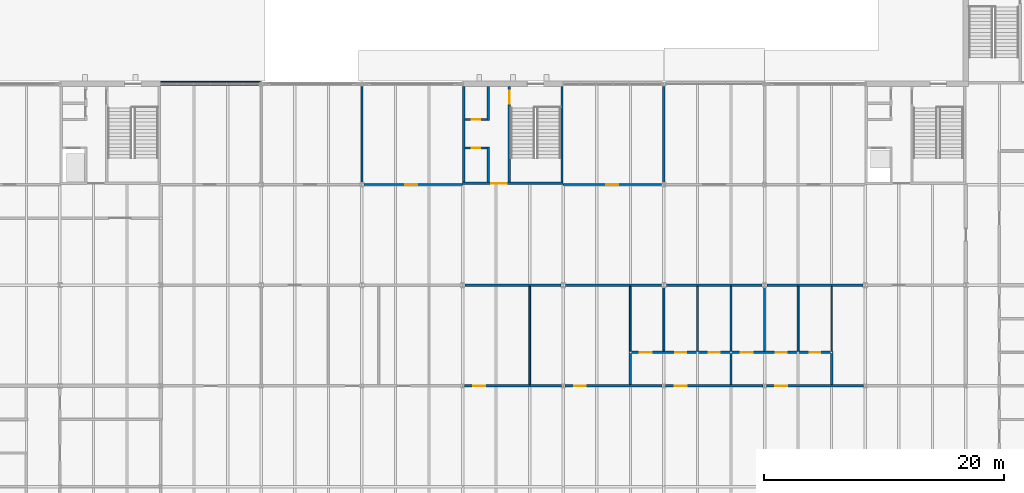
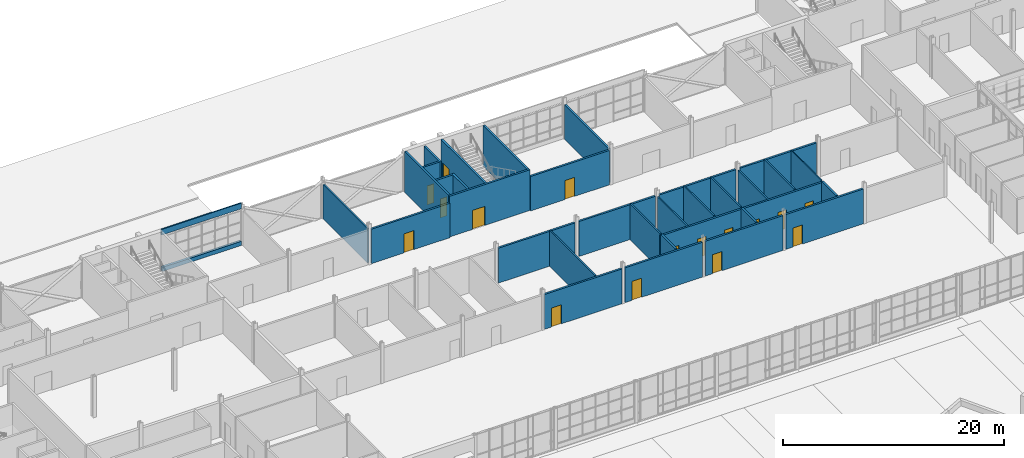
# One storey, part 92 of 116: 34 walls, 16 doors, 16 openings.
"""IFC4 building model written with IfcOpenShell, lengths in metres."""

from ifc_helpers import new_model, si_unit, direction, frame, frame_2d, origin, place, context, subcontext, project, spatial, rectangle, extrude, material, layer, layer_set, type_object, element, fill, save


model = new_model("IFC4")

# Units and contexts
model_context = context("Model", 3, precision=1e-05, world=origin(), true_north=direction((0.0, 1.0)))
body_context = subcontext(model_context, "Body", "Model", "MODEL_VIEW")
ifc_project = project(units=[si_unit("LENGTHUNIT", "METRE"), si_unit("AREAUNIT", "SQUARE_METRE"), si_unit("VOLUMEUNIT", "CUBIC_METRE"), si_unit("PLANEANGLEUNIT", "RADIAN"), si_unit("MASSUNIT", "GRAM", prefix="KILO")], contexts=[model_context])

# Site, building, storey
site_placement = place(None, origin())
site = spatial("IfcSite", under=ifc_project, at=site_placement, CompositionType="ELEMENT")
building_placement = place(site_placement, origin())
building = spatial("IfcBuilding", under=site, at=building_placement, Name="Ardhachandra Cancer Care Centre", CompositionType="ELEMENT")
storey_placement = place(building_placement, origin())
storey = spatial("IfcBuildingStorey", under=building, at=storey_placement, Name="L00", CompositionType="ELEMENT", Elevation=0.0)

# Wall, opening, door
ifc_material_1 = material(Name="Gypsum board corridor partition on steel studs", Category="steel")
ifc_layer_1 = layer(ifc_material_1, 0.199951171875)
ifc_layer_set_1 = layer_set([ifc_layer_1], Name="Gypsum board corridor partition on steel studs")
wall_type_1 = type_object("IfcWallType", Name="CORRIDOR WALL 200", PredefinedType="PARTITIONING", material=ifc_layer_set_1)
wall_1_placement = place(storey_placement, frame((69.75, 71.39990234375, 0.0), z_axis=(0.0, 0.0, 1.0), x_axis=(1.0, 0.0, 0.0)))
wall_1 = element("IfcWall", 1, at=wall_1_placement, inside=storey, type_object=wall_type_1, Name="R/wall/L00/h0071400_0069750", PredefinedType="PARTITIONING", context=body_context, shape_type="SweptSolid", body=[
    extrude(rectangle(XDim=8.10009765625, YDim=0.199951171875, at=frame_2d((4.050048828125, 0.0))), origin(), (0.0, 0.0, 1.0), 3.85009765625),
])
opening_1_placement = place(wall_1_placement, frame((0.75, 0.0, 0.0)))
opening_1 = element("IfcOpeningElement", 2, at=opening_1_placement, cuts=wall_1, Name="Opening L00-0021", PredefinedType="OPENING", context=body_context, shape_type="SweptSolid", body=[
    extrude(rectangle(XDim=1.0, YDim=2.10009765625, at=frame_2d((0.5, 1.050048828125))), frame((0.0, 0.10986328125, 0.0), z_axis=(0.0, -1.0, 0.0), x_axis=(1.0, 0.0, 0.0)), (0.0, 0.0, 1.0), 0.219970703125),
])
ifc_material_2 = material(Name="Timber fire door with smoke seals", Category="wood")
door_type_1 = type_object("IfcDoorType", Name="FIRE DOOR SINGLE 1000x2100 FD30S", OperationType="NOTDEFINED", PredefinedType="DOOR", material=ifc_material_2)
door_1_placement = place(opening_1_placement, origin())
door_1 = element("IfcDoor", 3, at=door_1_placement, inside=storey, type_object=door_type_1, Name="Door L00-0021", OperationType="SINGLE_SWING_LEFT", OverallHeight=2.10009765625, OverallWidth=1.0, PredefinedType="DOOR", context=body_context, shape_type="SweptSolid", body=[
    extrude(rectangle(XDim=1.0, YDim=2.10009765625, at=frame_2d((0.5, 1.050048828125))), frame((0.0, 0.02490234375, 0.0), z_axis=(0.0, -1.0, 0.0), x_axis=(1.0, 0.0, 0.0)), (0.0, 0.0, 1.0), 0.050048828125),
])
fill(opening_1, door_1)

wall_2_placement = place(storey_placement, frame((78.14990234375, 71.39990234375, 0.0), z_axis=(0.0, 0.0, 1.0), x_axis=(1.0, 0.0, 0.0)))
wall_2 = element("IfcWall", 4, at=wall_2_placement, inside=storey, type_object=wall_type_1, Name="R/wall/L00/h0071400_0078150", PredefinedType="PARTITIONING", context=body_context, shape_type="SweptSolid", body=[
    extrude(rectangle(XDim=8.10009765625, YDim=0.199951171875, at=frame_2d((4.050048828125, 0.0))), origin(), (0.0, 0.0, 1.0), 3.85009765625),
])
opening_2_placement = place(wall_2_placement, frame((0.75, 0.0, 0.0)))
opening_2 = element("IfcOpeningElement", 5, at=opening_2_placement, cuts=wall_2, Name="Opening L00-0022", PredefinedType="OPENING", context=body_context, shape_type="SweptSolid", body=[
    extrude(rectangle(XDim=1.0, YDim=2.10009765625, at=frame_2d((0.5, 1.050048828125))), frame((0.0, 0.10986328125, 0.0), z_axis=(0.0, -1.0, 0.0), x_axis=(1.0, 0.0, 0.0)), (0.0, 0.0, 1.0), 0.219970703125),
])
door_2_placement = place(opening_2_placement, origin())
door_2 = element("IfcDoor", 6, at=door_2_placement, inside=storey, type_object=door_type_1, Name="Door L00-0022", OperationType="SINGLE_SWING_RIGHT", OverallHeight=2.10009765625, OverallWidth=1.0, PredefinedType="DOOR", context=body_context, shape_type="SweptSolid", body=[
    extrude(rectangle(XDim=1.0, YDim=2.10009765625, at=frame_2d((0.5, 1.050048828125))), frame((0.0, 0.02490234375, 0.0), z_axis=(0.0, -1.0, 0.0), x_axis=(1.0, 0.0, 0.0)), (0.0, 0.0, 1.0), 0.050048828125),
])
fill(opening_2, door_2)

wall_3_placement = place(storey_placement, frame((86.550048828125, 71.39990234375, 0.0), z_axis=(0.0, 0.0, 1.0), x_axis=(1.0, 0.0, 0.0)))
wall_3 = element("IfcWall", 7, at=wall_3_placement, inside=storey, type_object=wall_type_1, Name="R/wall/L00/h0071400_0086550", PredefinedType="PARTITIONING", context=body_context, shape_type="SweptSolid", body=[
    extrude(rectangle(XDim=8.099853515625, YDim=0.199951171875, at=frame_2d((4.0498046875, 0.0))), origin(), (0.0, 0.0, 1.0), 3.85009765625),
])
opening_3_placement = place(wall_3_placement, frame((0.75, 0.0, 0.0)))
opening_3 = element("IfcOpeningElement", 8, at=opening_3_placement, cuts=wall_3, Name="Opening L00-0023", PredefinedType="OPENING", context=body_context, shape_type="SweptSolid", body=[
    extrude(rectangle(XDim=1.0, YDim=2.10009765625, at=frame_2d((0.5, 1.050048828125))), frame((0.0, 0.10986328125, 0.0), z_axis=(0.0, -1.0, 0.0), x_axis=(1.0, 0.0, 0.0)), (0.0, 0.0, 1.0), 0.219970703125),
])
door_3_placement = place(opening_3_placement, origin())
door_3 = element("IfcDoor", 9, at=door_3_placement, inside=storey, type_object=door_type_1, Name="Door L00-0023", OperationType="SINGLE_SWING_RIGHT", OverallHeight=2.10009765625, OverallWidth=1.0, PredefinedType="DOOR", context=body_context, shape_type="SweptSolid", body=[
    extrude(rectangle(XDim=1.0, YDim=2.10009765625, at=frame_2d((0.5, 1.050048828125))), frame((0.0, 0.02490234375, 0.0), z_axis=(0.0, -1.0, 0.0), x_axis=(1.0, 0.0, 0.0)), (0.0, 0.0, 1.0), 0.050048828125),
])
fill(opening_3, door_3)

wall_4_placement = place(storey_placement, frame((94.949951171875, 71.39990234375, 0.0), z_axis=(0.0, 0.0, 1.0), x_axis=(1.0, 0.0, 0.0)))
wall_4 = element("IfcWall", 10, at=wall_4_placement, inside=storey, type_object=wall_type_1, Name="R/wall/L00/h0071400_0094950", PredefinedType="PARTITIONING", context=body_context, shape_type="SweptSolid", body=[
    extrude(rectangle(XDim=8.10009765625, YDim=0.199951171875, at=frame_2d((4.050048828125, 0.0))), origin(), (0.0, 0.0, 1.0), 3.85009765625),
])
opening_4_placement = place(wall_4_placement, frame((0.75, 0.0, 0.0)))
opening_4 = element("IfcOpeningElement", 11, at=opening_4_placement, cuts=wall_4, Name="Opening L00-0024", PredefinedType="OPENING", context=body_context, shape_type="SweptSolid", body=[
    extrude(rectangle(XDim=1.0, YDim=2.10009765625, at=frame_2d((0.5, 1.050048828125))), frame((0.0, 0.10986328125, 0.0), z_axis=(0.0, -1.0, 0.0), x_axis=(1.0, 0.0, 0.0)), (0.0, 0.0, 1.0), 0.219970703125),
])
door_4_placement = place(opening_4_placement, origin())
door_4 = element("IfcDoor", 12, at=door_4_placement, inside=storey, type_object=door_type_1, Name="Door L00-0024", OperationType="SINGLE_SWING_LEFT", OverallHeight=2.10009765625, OverallWidth=1.0, PredefinedType="DOOR", context=body_context, shape_type="SweptSolid", body=[
    extrude(rectangle(XDim=1.0, YDim=2.10009765625, at=frame_2d((0.5, 1.050048828125))), frame((0.0, 0.02490234375, 0.0), z_axis=(0.0, -1.0, 0.0), x_axis=(1.0, 0.0, 0.0)), (0.0, 0.0, 1.0), 0.050048828125),
])
fill(opening_4, door_4)

# Wall, openings, doors
wall_5_placement = place(storey_placement, frame((83.5, 74.199951171875, 0.0), z_axis=(0.0, 0.0, 1.0), x_axis=(1.0, 0.0, 0.0)))
wall_5 = element("IfcWall", 13, at=wall_5_placement, inside=storey, type_object=wall_type_1, Name="R/wall/L00/h0074200_0083500", PredefinedType="PARTITIONING", context=body_context, shape_type="SweptSolid", body=[
    extrude(rectangle(XDim=17.0, YDim=0.199951171875, at=frame_2d((8.5, 0.0))), origin(), (0.0, 0.0, 1.0), 3.800048828125),
])
opening_5_placement = place(wall_5_placement, frame((0.89990234375, 0.0, 0.0)))
opening_5 = element("IfcOpeningElement", 14, at=opening_5_placement, cuts=wall_5, Name="Opening L00-0025", PredefinedType="OPENING", context=body_context, shape_type="SweptSolid", body=[
    extrude(rectangle(XDim=1.0, YDim=2.10009765625, at=frame_2d((0.5, 1.050048828125))), frame((0.0, 0.10986328125, 0.0), z_axis=(0.0, -1.0, 0.0), x_axis=(1.0, 0.0, 0.0)), (0.0, 0.0, 1.0), 0.219970703125),
])
opening_6_placement = place(wall_5_placement, frame((3.85009765625, 0.0, 0.0)))
opening_6 = element("IfcOpeningElement", 15, at=opening_6_placement, cuts=wall_5, Name="Opening L00-0026", PredefinedType="OPENING", context=body_context, shape_type="SweptSolid", body=[
    extrude(rectangle(XDim=0.89990234375, YDim=2.10009765625, at=frame_2d((0.449951171875, 1.050048828125))), frame((0.0, 0.10986328125, 0.0), z_axis=(0.0, -1.0, 0.0), x_axis=(1.0, 0.0, 0.0)), (0.0, 0.0, 1.0), 0.219970703125),
])
opening_7_placement = place(wall_5_placement, frame((6.64990234375, 0.0, 0.0)))
opening_7 = element("IfcOpeningElement", 16, at=opening_7_placement, cuts=wall_5, Name="Opening L00-0027", PredefinedType="OPENING", context=body_context, shape_type="SweptSolid", body=[
    extrude(rectangle(XDim=0.89990234375, YDim=2.10009765625, at=frame_2d((0.449951171875, 1.050048828125))), frame((0.0, 0.10986328125, 0.0), z_axis=(0.0, -1.0, 0.0), x_axis=(1.0, 0.0, 0.0)), (0.0, 0.0, 1.0), 0.219970703125),
])
opening_8_placement = place(wall_5_placement, frame((9.300048828125, 0.0, 0.0)))
opening_8 = element("IfcOpeningElement", 17, at=opening_8_placement, cuts=wall_5, Name="Opening L00-0028", PredefinedType="OPENING", context=body_context, shape_type="SweptSolid", body=[
    extrude(rectangle(XDim=1.0, YDim=2.10009765625, at=frame_2d((0.5, 1.050048828125))), frame((0.0, 0.10986328125, 0.0), z_axis=(0.0, -1.0, 0.0), x_axis=(1.0, 0.0, 0.0)), (0.0, 0.0, 1.0), 0.219970703125),
])
opening_9_placement = place(wall_5_placement, frame((12.25, 0.0, 0.0)))
opening_9 = element("IfcOpeningElement", 18, at=opening_9_placement, cuts=wall_5, Name="Opening L00-0029", PredefinedType="OPENING", context=body_context, shape_type="SweptSolid", body=[
    extrude(rectangle(XDim=0.89990234375, YDim=2.10009765625, at=frame_2d((0.449951171875, 1.050048828125))), frame((0.0, 0.10986328125, 0.0), z_axis=(0.0, -1.0, 0.0), x_axis=(1.0, 0.0, 0.0)), (0.0, 0.0, 1.0), 0.219970703125),
])
opening_10_placement = place(wall_5_placement, frame((15.050048828125, 0.0, 0.0)))
opening_10 = element("IfcOpeningElement", 19, at=opening_10_placement, cuts=wall_5, Name="Opening L00-0030", PredefinedType="OPENING", context=body_context, shape_type="SweptSolid", body=[
    extrude(rectangle(XDim=0.89990234375, YDim=2.10009765625, at=frame_2d((0.449951171875, 1.050048828125))), frame((0.0, 0.10986328125, 0.0), z_axis=(0.0, -1.0, 0.0), x_axis=(1.0, 0.0, 0.0)), (0.0, 0.0, 1.0), 0.219970703125),
])
door_5_placement = place(opening_5_placement, origin())
door_5 = element("IfcDoor", 20, at=door_5_placement, inside=storey, type_object=door_type_1, Name="Door L00-0025", OperationType="SINGLE_SWING_RIGHT", OverallHeight=2.10009765625, OverallWidth=1.0, PredefinedType="DOOR", context=body_context, shape_type="SweptSolid", body=[
    extrude(rectangle(XDim=1.0, YDim=2.10009765625, at=frame_2d((0.5, 1.050048828125))), frame((0.0, 0.02490234375, 0.0), z_axis=(0.0, -1.0, 0.0), x_axis=(1.0, 0.0, 0.0)), (0.0, 0.0, 1.0), 0.050048828125),
])
fill(opening_5, door_5)
door_6_placement = place(opening_8_placement, origin())
door_6 = element("IfcDoor", 21, at=door_6_placement, inside=storey, type_object=door_type_1, Name="Door L00-0028", OperationType="SINGLE_SWING_LEFT", OverallHeight=2.10009765625, OverallWidth=1.0, PredefinedType="DOOR", context=body_context, shape_type="SweptSolid", body=[
    extrude(rectangle(XDim=1.0, YDim=2.10009765625, at=frame_2d((0.5, 1.050048828125))), frame((0.0, 0.02490234375, 0.0), z_axis=(0.0, -1.0, 0.0), x_axis=(1.0, 0.0, 0.0)), (0.0, 0.0, 1.0), 0.050048828125),
])
fill(opening_8, door_6)
ifc_material_3 = material(Name="Timber fire door with smoke seals", Category="wood")
door_type_2 = type_object("IfcDoorType", Name="FIRE DOOR WC 900x2100 FD30S", OperationType="NOTDEFINED", PredefinedType="DOOR", material=ifc_material_3)
door_7_placement = place(opening_6_placement, origin())
door_7 = element("IfcDoor", 22, at=door_7_placement, inside=storey, type_object=door_type_2, Name="Door L00-0026", OperationType="SINGLE_SWING_RIGHT", OverallHeight=2.10009765625, OverallWidth=0.89990234375, PredefinedType="DOOR", context=body_context, shape_type="SweptSolid", body=[
    extrude(rectangle(XDim=0.89990234375, YDim=2.10009765625, at=frame_2d((0.449951171875, 1.050048828125))), frame((0.0, 0.02490234375, 0.0), z_axis=(0.0, -1.0, 0.0), x_axis=(1.0, 0.0, 0.0)), (0.0, 0.0, 1.0), 0.050048828125),
])
fill(opening_6, door_7)
door_8_placement = place(opening_7_placement, origin())
door_8 = element("IfcDoor", 23, at=door_8_placement, inside=storey, type_object=door_type_2, Name="Door L00-0027", OperationType="SINGLE_SWING_LEFT", OverallHeight=2.10009765625, OverallWidth=0.89990234375, PredefinedType="DOOR", context=body_context, shape_type="SweptSolid", body=[
    extrude(rectangle(XDim=0.89990234375, YDim=2.10009765625, at=frame_2d((0.449951171875, 1.050048828125))), frame((0.0, 0.02490234375, 0.0), z_axis=(0.0, -1.0, 0.0), x_axis=(1.0, 0.0, 0.0)), (0.0, 0.0, 1.0), 0.050048828125),
])
fill(opening_7, door_8)
door_9_placement = place(opening_9_placement, origin())
door_9 = element("IfcDoor", 24, at=door_9_placement, inside=storey, type_object=door_type_2, Name="Door L00-0029", OperationType="SINGLE_SWING_LEFT", OverallHeight=2.10009765625, OverallWidth=0.89990234375, PredefinedType="DOOR", context=body_context, shape_type="SweptSolid", body=[
    extrude(rectangle(XDim=0.89990234375, YDim=2.10009765625, at=frame_2d((0.449951171875, 1.050048828125))), frame((0.0, 0.02490234375, 0.0), z_axis=(0.0, -1.0, 0.0), x_axis=(1.0, 0.0, 0.0)), (0.0, 0.0, 1.0), 0.050048828125),
])
fill(opening_9, door_9)
door_10_placement = place(opening_10_placement, origin())
door_10 = element("IfcDoor", 25, at=door_10_placement, inside=storey, type_object=door_type_2, Name="Door L00-0030", OperationType="SINGLE_SWING_LEFT", OverallHeight=2.10009765625, OverallWidth=0.89990234375, PredefinedType="DOOR", context=body_context, shape_type="SweptSolid", body=[
    extrude(rectangle(XDim=0.89990234375, YDim=2.10009765625, at=frame_2d((0.449951171875, 1.050048828125))), frame((0.0, 0.02490234375, 0.0), z_axis=(0.0, -1.0, 0.0), x_axis=(1.0, 0.0, 0.0)), (0.0, 0.0, 1.0), 0.050048828125),
])
fill(opening_10, door_10)

# Walls
for number, where, z_axis, x_axis, name in (
    (26, (69.800048828125, 79.800048828125, 0.0), (0.0, 0.0, 1.0), (1.0, 0.0, 0.0), "R/wall/L00/h0079800_0069800"),
    (27, (78.199951171875, 79.800048828125, 0.0), (0.0, 0.0, 1.0), (1.0, 0.0, 0.0), "R/wall/L00/h0079800_0078200"),
    (28, (86.60009765625, 79.800048828125, 0.0), (0.0, 0.0, 1.0), (1.0, 0.0, 0.0), "R/wall/L00/h0079800_0086600"),
    (29, (95.0, 79.800048828125, 0.0), (0.0, 0.0, 1.0), (1.0, 0.0, 0.0), "R/wall/L00/h0079800_0095000"),
):
    element("IfcWall", number, at=place(storey_placement, frame(where, z_axis=z_axis, x_axis=x_axis)), inside=storey, type_object=wall_type_1, Name=name, PredefinedType="PARTITIONING", context=body_context, shape_type="SweptSolid", body=[
        extrude(rectangle(XDim=8.0, YDim=0.199951171875, at=frame_2d((4.0, 0.0))), origin(), (0.0, 0.0, 1.0), 3.85009765625),
    ])

# Wall, opening, door
wall_6_placement = place(storey_placement, frame((61.3798828125, 88.199951171875, 0.0), z_axis=(0.0, 0.0, 1.0), x_axis=(1.0, 0.0, 0.0)))
wall_6 = element("IfcWall", 30, at=wall_6_placement, inside=storey, type_object=wall_type_1, Name="R/wall/L00/h0088200_0061380", PredefinedType="PARTITIONING", context=body_context, shape_type="SweptSolid", body=[
    extrude(rectangle(XDim=8.22021484375, YDim=0.199951171875, at=frame_2d((4.110107421875, 0.0))), origin(), (0.0, 0.0, 1.0), 3.800048828125),
])
opening_11_placement = place(wall_6_placement, frame((3.419921875, 0.0, 0.0)))
opening_11 = element("IfcOpeningElement", 31, at=opening_11_placement, cuts=wall_6, Name="Opening L00-0039", PredefinedType="OPENING", context=body_context, shape_type="SweptSolid", body=[
    extrude(rectangle(XDim=1.0, YDim=2.10009765625, at=frame_2d((0.5, 1.050048828125))), frame((0.0, 0.10986328125, 0.0), z_axis=(0.0, -1.0, 0.0), x_axis=(1.0, 0.0, 0.0)), (0.0, 0.0, 1.0), 0.219970703125),
])
door_11_placement = place(opening_11_placement, origin())
door_11 = element("IfcDoor", 32, at=door_11_placement, inside=storey, type_object=door_type_1, Name="Door L00-0039", OperationType="SINGLE_SWING_LEFT", OverallHeight=2.10009765625, OverallWidth=1.0, PredefinedType="DOOR", context=body_context, shape_type="SweptSolid", body=[
    extrude(rectangle(XDim=1.0, YDim=2.10009765625, at=frame_2d((0.5, 1.050048828125))), frame((0.0, 0.02490234375, 0.0), z_axis=(0.0, -1.0, 0.0), x_axis=(1.0, 0.0, 0.0)), (0.0, 0.0, 1.0), 0.050048828125),
])
fill(opening_11, door_11)

wall_7_placement = place(storey_placement, frame((78.0, 88.199951171875, 0.0), z_axis=(0.0, 0.0, 1.0), x_axis=(1.0, 0.0, 0.0)))
wall_7 = element("IfcWall", 33, at=wall_7_placement, inside=storey, type_object=wall_type_1, Name="R/wall/L00/h0088200_0078000", PredefinedType="PARTITIONING", context=body_context, shape_type="SweptSolid", body=[
    extrude(rectangle(XDim=8.219970703125, YDim=0.199951171875, at=frame_2d((4.10986328125, 0.0))), origin(), (0.0, 0.0, 1.0), 3.800048828125),
])
opening_12_placement = place(wall_7_placement, frame((3.60009765625, 0.0, 0.0)))
opening_12 = element("IfcOpeningElement", 34, at=opening_12_placement, cuts=wall_7, Name="Opening L00-0040", PredefinedType="OPENING", context=body_context, shape_type="SweptSolid", body=[
    extrude(rectangle(XDim=1.0, YDim=2.10009765625, at=frame_2d((0.5, 1.050048828125))), frame((0.0, 0.10986328125, 0.0), z_axis=(0.0, -1.0, 0.0), x_axis=(1.0, 0.0, 0.0)), (0.0, 0.0, 1.0), 0.219970703125),
])
door_12_placement = place(opening_12_placement, origin())
door_12 = element("IfcDoor", 35, at=door_12_placement, inside=storey, type_object=door_type_1, Name="Door L00-0040", OperationType="SINGLE_SWING_RIGHT", OverallHeight=2.10009765625, OverallWidth=1.0, PredefinedType="DOOR", context=body_context, shape_type="SweptSolid", body=[
    extrude(rectangle(XDim=1.0, YDim=2.10009765625, at=frame_2d((0.5, 1.050048828125))), frame((0.0, 0.02490234375, 0.0), z_axis=(0.0, -1.0, 0.0), x_axis=(1.0, 0.0, 0.0)), (0.0, 0.0, 1.0), 0.050048828125),
])
fill(opening_12, door_12)

# Walls
wall_8_placement = place(storey_placement, frame((83.60009765625, 71.5, 0.0), z_axis=(0.0, 0.0, 1.0), x_axis=(0.0, 1.0, 0.0)))
element("IfcWall", 36, at=wall_8_placement, inside=storey, type_object=wall_type_1, Name="R/wall/L00/v0083600_0071500", PredefinedType="PARTITIONING", context=body_context, shape_type="SweptSolid", body=[
    extrude(rectangle(XDim=2.60009765625, YDim=0.199951171875, at=frame_2d((1.300048828125, 0.0))), origin(), (0.0, 0.0, 1.0), 3.949951171875),
])
wall_9_placement = place(storey_placement, frame((86.39990234375, 88.3798828125, 0.0), z_axis=(0.0, 0.0, 1.0), x_axis=(0.0, 1.0, 0.0)))
element("IfcWall", 37, at=wall_9_placement, inside=storey, type_object=wall_type_1, Name="R/wall/L00/v0086400_0088380", PredefinedType="PARTITIONING", context=body_context, shape_type="SweptSolid", body=[
    extrude(rectangle(XDim=7.9951171875, YDim=0.199951171875, at=frame_2d((3.99755859375, 0.0))), origin(), (0.0, 0.0, 1.0), 3.800048828125),
])
for number, where, z_axis, x_axis, name in (
    (38, (92.0, 71.5, 0.0), (0.0, 0.0, 1.0), (0.0, 1.0, 0.0), "R/wall/L00/v0092000_0071500"),
    (39, (100.39990234375, 71.5, 0.0), (0.0, 0.0, 1.0), (0.0, 1.0, 0.0), "R/wall/L00/v0100400_0071500"),
):
    element("IfcWall", number, at=place(storey_placement, frame(where, z_axis=z_axis, x_axis=x_axis)), inside=storey, type_object=wall_type_1, Name=name, PredefinedType="PARTITIONING", context=body_context, shape_type="SweptSolid", body=[
        extrude(rectangle(XDim=2.60009765625, YDim=0.199951171875, at=frame_2d((1.300048828125, 0.0))), origin(), (0.0, 0.0, 1.0), 3.949951171875),
    ])

# Wall, opening, door
ifc_material_4 = material(Name="Concrete M40", Category="concrete")
ifc_layer_2 = layer(ifc_material_4, 0.199951171875)
ifc_layer_set_2 = layer_set([ifc_layer_2], Name="Concrete M40")
wall_type_2 = type_object("IfcWallType", Name="Core wall RC 200", PredefinedType="SOLIDWALL", material=ifc_layer_set_2)
wall_10_placement = place(storey_placement, frame((78.0, 88.300048828125, 0.0), z_axis=(0.0, 0.0, 1.0), x_axis=(-1.0, 0.0, 0.0)))
wall_10 = element("IfcWall", 40, at=wall_10_placement, inside=storey, type_object=wall_type_2, Name="Core wall K8 ENT", PredefinedType="SOLIDWALL", context=body_context, shape_type="SweptSolid", body=[
    extrude(rectangle(XDim=8.39990234375, YDim=0.199951171875, at=frame_2d((4.199951171875, 0.0))), origin(), (0.0, 0.0, 1.0), 4.5),
])
opening_13_placement = place(wall_10_placement, frame((4.72509765625, 0.0, 0.0)))
opening_13 = element("IfcOpeningElement", 41, at=opening_13_placement, cuts=wall_10, Name="Opening L00-K08-1", PredefinedType="OPENING", context=body_context, shape_type="SweptSolid", body=[
    extrude(rectangle(XDim=1.300048828125, YDim=2.10009765625, at=frame_2d((0.64990234375, 1.050048828125))), frame((0.0, 0.10986328125, 0.0), z_axis=(0.0, -1.0, 0.0), x_axis=(1.0, 0.0, 0.0)), (0.0, 0.0, 1.0), 0.219970703125),
])
ifc_material_5 = material(Name="Steel door set", Category="steel")
door_type_3 = type_object("IfcDoorType", Name="Core entry double door 1300x2100 FD60", OperationType="DOUBLE_DOOR_DOUBLE_SWING", PredefinedType="DOOR", material=ifc_material_5)
door_13_placement = place(opening_13_placement, origin())
door_13 = element("IfcDoor", 42, at=door_13_placement, inside=storey, type_object=door_type_3, Name="Core entry door", OperationType="DOUBLE_DOOR_DOUBLE_SWING", OverallHeight=2.10009765625, OverallWidth=1.300048828125, PredefinedType="DOOR", context=body_context, shape_type="SweptSolid", body=[
    extrude(rectangle(XDim=1.300048828125, YDim=2.10009765625, at=frame_2d((0.64990234375, 1.050048828125))), frame((0.0, 0.02490234375, 0.0), z_axis=(0.0, -1.0, 0.0), x_axis=(1.0, 0.0, 0.0)), (0.0, 0.0, 1.0), 0.050048828125),
])
fill(opening_13, door_13)

# Walls
for number, where, z_axis, x_axis, name in (
    (43, (77.89990234375, 88.39990234375, 0.0), (0.0, 0.0, 1.0), (0.0, 1.0, 0.0), "Core wall K8 UW"),
    (44, (69.699951171875, 88.39990234375, 0.0), (0.0, 0.0, 1.0), (0.0, 1.0, 0.0), "Core wall K8 UE"),
):
    element("IfcWall", number, at=place(storey_placement, frame(where, z_axis=z_axis, x_axis=x_axis)), inside=storey, type_object=wall_type_2, Name=name, PredefinedType="SOLIDWALL", context=body_context, shape_type="SweptSolid", body=[
        extrude(rectangle(XDim=7.97509765625, YDim=0.199951171875, at=frame_2d((3.987548828125, 0.0))), origin(), (0.0, 0.0, 1.0), 4.5),
    ])

# Wall, opening, door
wall_11_placement = place(storey_placement, frame((73.5, 88.39990234375, 0.0), z_axis=(0.0, 0.0, 1.0), x_axis=(0.0, 1.0, 0.0)))
wall_11 = element("IfcWall", 45, at=wall_11_placement, inside=storey, type_object=wall_type_2, Name="Core wall K8 P1", PredefinedType="SOLIDWALL", context=body_context, shape_type="SweptSolid", body=[
    extrude(rectangle(XDim=7.97509765625, YDim=0.199951171875, at=frame_2d((3.987548828125, 0.0))), origin(), (0.0, 0.0, 1.0), 4.5),
])
opening_14_placement = place(wall_11_placement, frame((6.53759765625, 0.0, 0.0)))
opening_14 = element("IfcOpeningElement", 46, at=opening_14_placement, cuts=wall_11, Name="Opening L00-K08-2", PredefinedType="OPENING", context=body_context, shape_type="SweptSolid", body=[
    extrude(rectangle(XDim=1.10009765625, YDim=2.10009765625, at=frame_2d((0.550048828125, 1.050048828125))), frame((0.0, 0.10986328125, 0.0), z_axis=(0.0, -1.0, 0.0), x_axis=(1.0, 0.0, 0.0)), (0.0, 0.0, 1.0), 0.219970703125),
])
ifc_material_6 = material(Name="Steel door set", Category="steel")
door_type_4 = type_object("IfcDoorType", Name="Stair door 1100x2100 FD60S", OperationType="NOTDEFINED", PredefinedType="DOOR", material=ifc_material_6)
door_14_placement = place(opening_14_placement, origin())
door_14 = element("IfcDoor", 47, at=door_14_placement, inside=storey, type_object=door_type_4, Name="Stair door", OperationType="SINGLE_SWING_LEFT", OverallHeight=2.10009765625, OverallWidth=1.10009765625, PredefinedType="DOOR", context=body_context, shape_type="SweptSolid", body=[
    extrude(rectangle(XDim=1.10009765625, YDim=2.10009765625, at=frame_2d((0.550048828125, 1.050048828125))), frame((0.0, 0.02490234375, 0.0), z_axis=(0.0, -1.0, 0.0), x_axis=(1.0, 0.0, 0.0)), (0.0, 0.0, 1.0), 0.050048828125),
])
fill(opening_14, door_14)

# Walls
wall_12_placement = place(storey_placement, frame((71.75, 88.39990234375, 0.0), z_axis=(0.0, 0.0, 1.0), x_axis=(0.0, 1.0, 0.0)))
element("IfcWall", 48, at=wall_12_placement, inside=storey, type_object=wall_type_2, Name="Core wall K8 P2A", PredefinedType="SOLIDWALL", context=body_context, shape_type="SweptSolid", body=[
    extrude(rectangle(XDim=2.9501953125, YDim=0.199951171875, at=frame_2d((1.47509765625, 0.0))), origin(), (0.0, 0.0, 1.0), 4.35009765625),
])
wall_13_placement = place(storey_placement, frame((71.75, 93.52490234375, 0.0), z_axis=(0.0, 0.0, 1.0), x_axis=(0.0, 1.0, 0.0)))
element("IfcWall", 49, at=wall_13_placement, inside=storey, type_object=wall_type_2, Name="Core wall K8 P2B", PredefinedType="SOLIDWALL", context=body_context, shape_type="SweptSolid", body=[
    extrude(rectangle(XDim=2.85009765625, YDim=0.199951171875, at=frame_2d((1.425048828125, 0.0))), origin(), (0.0, 0.0, 1.0), 4.35009765625),
])

# Wall, opening, door
wall_14_placement = place(storey_placement, frame((71.64990234375, 91.25, 0.0), z_axis=(0.0, 0.0, 1.0), x_axis=(-1.0, 0.0, 0.0)))
wall_14 = element("IfcWall", 50, at=wall_14_placement, inside=storey, type_object=wall_type_2, Name="Core wall K8 W1", PredefinedType="SOLIDWALL", context=body_context, shape_type="SweptSolid", body=[
    extrude(rectangle(XDim=1.849853515625, YDim=0.199951171875, at=frame_2d((0.9248046875, 0.0))), origin(), (0.0, 0.0, 1.0), 4.35009765625),
])
opening_15_placement = place(wall_14_placement, frame((0.574951171875, 0.0, 0.0)))
opening_15 = element("IfcOpeningElement", 51, at=opening_15_placement, cuts=wall_14, Name="Opening L00-K08-3", PredefinedType="OPENING", context=body_context, shape_type="SweptSolid", body=[
    extrude(rectangle(XDim=0.699951171875, YDim=2.10009765625, at=frame_2d((0.35009765625, 1.050048828125))), frame((0.0, 0.10986328125, 0.0), z_axis=(0.0, -1.0, 0.0), x_axis=(1.0, 0.0, 0.0)), (0.0, 0.0, 1.0), 0.219970703125),
])
ifc_material_7 = material(Name="Steel door set", Category="steel")
door_type_5 = type_object("IfcDoorType", Name="Riser access door 700x2100 FD120S", OperationType="NOTDEFINED", PredefinedType="DOOR", material=ifc_material_7)
door_15_placement = place(opening_15_placement, origin())
door_15 = element("IfcDoor", 52, at=door_15_placement, inside=storey, type_object=door_type_5, Name="Riser access door", OperationType="SINGLE_SWING_RIGHT", OverallHeight=2.10009765625, OverallWidth=0.699951171875, PredefinedType="DOOR", context=body_context, shape_type="SweptSolid", body=[
    extrude(rectangle(XDim=0.699951171875, YDim=2.10009765625, at=frame_2d((0.35009765625, 1.050048828125))), frame((0.0, 0.02490234375, 0.0), z_axis=(0.0, -1.0, 0.0), x_axis=(1.0, 0.0, 0.0)), (0.0, 0.0, 1.0), 0.050048828125),
])
fill(opening_15, door_15)

wall_15_placement = place(storey_placement, frame((71.64990234375, 93.625, 0.0), z_axis=(0.0, 0.0, 1.0), x_axis=(-1.0, 0.0, 0.0)))
wall_15 = element("IfcWall", 53, at=wall_15_placement, inside=storey, type_object=wall_type_2, Name="Core wall K8 W2", PredefinedType="SOLIDWALL", context=body_context, shape_type="SweptSolid", body=[
    extrude(rectangle(XDim=1.849853515625, YDim=0.199951171875, at=frame_2d((0.9248046875, 0.0))), origin(), (0.0, 0.0, 1.0), 4.35009765625),
])
opening_16_placement = place(wall_15_placement, frame((0.574951171875, 0.0, 0.0)))
opening_16 = element("IfcOpeningElement", 54, at=opening_16_placement, cuts=wall_15, Name="Opening L00-K08-4", PredefinedType="OPENING", context=body_context, shape_type="SweptSolid", body=[
    extrude(rectangle(XDim=0.699951171875, YDim=2.10009765625, at=frame_2d((0.35009765625, 1.050048828125))), frame((0.0, 0.10986328125, 0.0), z_axis=(0.0, -1.0, 0.0), x_axis=(1.0, 0.0, 0.0)), (0.0, 0.0, 1.0), 0.219970703125),
])
door_16_placement = place(opening_16_placement, origin())
door_16 = element("IfcDoor", 55, at=door_16_placement, inside=storey, type_object=door_type_5, Name="Riser access door", OperationType="SINGLE_SWING_RIGHT", OverallHeight=2.10009765625, OverallWidth=0.699951171875, PredefinedType="DOOR", context=body_context, shape_type="SweptSolid", body=[
    extrude(rectangle(XDim=0.699951171875, YDim=2.10009765625, at=frame_2d((0.35009765625, 1.050048828125))), frame((0.0, 0.02490234375, 0.0), z_axis=(0.0, -1.0, 0.0), x_axis=(1.0, 0.0, 0.0)), (0.0, 0.0, 1.0), 0.050048828125),
])
fill(opening_16, door_16)

# Walls
ifc_material_8 = material(Name="Precast Concrete M30 fascia panel with brick slip facing", Category="masonry")
ifc_layer_3 = layer(ifc_material_8, 0.1298828125)
ifc_layer_set_3 = layer_set([ifc_layer_3], Name="Precast Concrete M30 fascia panel with brick slip facing")
wall_type_3 = type_object("IfcWallType", Name="Edge beam fascia 130", PredefinedType="SOLIDWALL", material=ifc_layer_set_3)
wall_16_placement = place(storey_placement, frame((44.39990234375, 96.760009765625, 3.8701171875), z_axis=(0.0, 0.0, 1.0), x_axis=(1.0, 0.0, 0.0)))
element("IfcWall", 56, at=wall_16_placement, inside=storey, type_object=wall_type_3, Name="E/fascia/L00/n/0044400_0096600", PredefinedType="SOLIDWALL", context=body_context, shape_type="SweptSolid", body=[
    extrude(rectangle(XDim=8.400146484375, YDim=0.1298828125, at=frame_2d((4.2001953125, 0.0))), origin(), (0.0, 0.0, 1.0), 0.6298828125),
])
ifc_material_9 = material(Name="Gypsum board partition on steel studs", Category="steel")
ifc_layer_4 = layer(ifc_material_9, 0.14990234375)
ifc_layer_set_4 = layer_set([ifc_layer_4], Name="Gypsum board partition on steel studs")
wall_type_4 = type_object("IfcWallType", Name="PARTITION 150", PredefinedType="PARTITIONING", material=ifc_layer_set_4)
wall_17_placement = place(storey_placement, frame((61.199951171875, 88.3798828125, 0.0), z_axis=(0.0, 0.0, 1.0), x_axis=(0.0, 1.0, 0.0)))
element("IfcWall", 57, at=wall_17_placement, inside=storey, type_object=wall_type_4, Name="R/wall/L00/v0061200_0088380", PredefinedType="PARTITIONING", context=body_context, shape_type="SweptSolid", body=[
    extrude(rectangle(XDim=7.9951171875, YDim=0.14990234375, at=frame_2d((3.99755859375, 0.0))), origin(), (0.0, 0.0, 1.0), 3.800048828125),
])
wall_18_placement = place(storey_placement, frame((75.199951171875, 71.5, 0.0), z_axis=(0.0, 0.0, 1.0), x_axis=(0.0, 1.0, 0.0)))
element("IfcWall", 58, at=wall_18_placement, inside=storey, type_object=wall_type_4, Name="R/wall/L00/v0075200_0071500", PredefinedType="PARTITIONING", context=body_context, shape_type="SweptSolid", body=[
    extrude(rectangle(XDim=8.199951171875, YDim=0.14990234375, at=frame_2d((4.10009765625, 0.0))), origin(), (0.0, 0.0, 1.0), 3.949951171875),
])
ifc_material_10 = material(Name="Concrete block masonry", Category="masonry")
ifc_layer_5 = layer(ifc_material_10, 0.10009765625)
ifc_layer_set_5 = layer_set([ifc_layer_5], Name="Concrete block masonry")
wall_type_5 = type_object("IfcWallType", Name="STORE PARTITION 100", PredefinedType="SOLIDWALL", material=ifc_layer_set_5)
wall_19_placement = place(storey_placement, frame((100.39990234375, 74.300048828125, 0.0), z_axis=(0.0, 0.0, 1.0), x_axis=(0.0, 1.0, 0.0)))
element("IfcWall", 59, at=wall_19_placement, inside=storey, type_object=wall_type_5, Name="R/wall/L00/v0100400_0074300", PredefinedType="SOLIDWALL", context=body_context, shape_type="SweptSolid", body=[
    extrude(rectangle(XDim=5.39990234375, YDim=0.10009765625, at=frame_2d((2.699951171875, 0.0))), origin(), (0.0, 0.0, 1.0), 3.949951171875),
])
ifc_material_11 = material(Name="Granite facing on Concrete M30", Category="masonry")
ifc_layer_6 = layer(ifc_material_11, 0.25)
ifc_layer_set_6 = layer_set([ifc_layer_6], Name="Granite facing on Concrete M30")
wall_type_6 = type_object("IfcWallType", Name="Stone-faced plinth wall 250", PredefinedType="SOLIDWALL", material=ifc_layer_set_6)
wall_20_placement = place(storey_placement, frame((44.39990234375, 96.60009765625, 0.0), z_axis=(0.0, 0.0, 1.0), x_axis=(1.0, 0.0, 0.0)))
element("IfcWall", 60, at=wall_20_placement, inside=storey, type_object=wall_type_6, Name="E/plinth/L00/n/0044400_0096600", PredefinedType="SOLIDWALL", context=body_context, shape_type="SweptSolid", body=[
    extrude(rectangle(XDim=8.25, YDim=0.25, at=frame_2d((4.125, 0.0))), origin(), (0.0, 0.0, 1.0), 0.449951171875),
])
ifc_material_12 = material(Name="Tiled gypsum board partition on steel studs", Category="steel")
ifc_layer_7 = layer(ifc_material_12, 0.14990234375)
ifc_layer_set_7 = layer_set([ifc_layer_7], Name="Tiled gypsum board partition on steel studs")
wall_type_7 = type_object("IfcWallType", Name="WET ROOM PARTITION 150", PredefinedType="PARTITIONING", material=ifc_layer_set_7)
wall_21_placement = place(storey_placement, frame((83.60009765625, 74.300048828125, 0.0), z_axis=(0.0, 0.0, 1.0), x_axis=(0.0, 1.0, 0.0)))
element("IfcWall", 61, at=wall_21_placement, inside=storey, type_object=wall_type_7, Name="R/wall/L00/v0083600_0074300", PredefinedType="PARTITIONING", context=body_context, shape_type="SweptSolid", body=[
    extrude(rectangle(XDim=5.39990234375, YDim=0.14990234375, at=frame_2d((2.699951171875, 0.0))), origin(), (0.0, 0.0, 1.0), 3.949951171875),
])
wall_22_placement = place(storey_placement, frame((86.39990234375, 74.300048828125, 0.0), z_axis=(0.0, 0.0, 1.0), x_axis=(0.0, 1.0, 0.0)))
element("IfcWall", 62, at=wall_22_placement, inside=storey, type_object=wall_type_7, Name="R/wall/L00/v0086400_0074300", PredefinedType="PARTITIONING", context=body_context, shape_type="SweptSolid", body=[
    extrude(rectangle(XDim=5.300048828125, YDim=0.14990234375, at=frame_2d((2.64990234375, 0.0))), origin(), (0.0, 0.0, 1.0), 3.800048828125),
])
for number, where, z_axis, x_axis, name in (
    (63, (89.199951171875, 74.300048828125, 0.0), (0.0, 0.0, 1.0), (0.0, 1.0, 0.0), "R/wall/L00/v0089200_0074300"),
    (64, (92.0, 74.300048828125, 0.0), (0.0, 0.0, 1.0), (0.0, 1.0, 0.0), "R/wall/L00/v0092000_0074300"),
):
    element("IfcWall", number, at=place(storey_placement, frame(where, z_axis=z_axis, x_axis=x_axis)), inside=storey, type_object=wall_type_7, Name=name, PredefinedType="PARTITIONING", context=body_context, shape_type="SweptSolid", body=[
        extrude(rectangle(XDim=5.39990234375, YDim=0.14990234375, at=frame_2d((2.699951171875, 0.0))), origin(), (0.0, 0.0, 1.0), 3.949951171875),
    ])
wall_23_placement = place(storey_placement, frame((94.800048828125, 74.300048828125, 0.0), z_axis=(0.0, 0.0, 1.0), x_axis=(0.0, 1.0, 0.0)))
element("IfcWall", 65, at=wall_23_placement, inside=storey, type_object=wall_type_7, Name="R/wall/L00/v0094800_0074300", PredefinedType="PARTITIONING", context=body_context, shape_type="SweptSolid", body=[
    extrude(rectangle(XDim=5.300048828125, YDim=0.14990234375, at=frame_2d((2.64990234375, 0.0))), origin(), (0.0, 0.0, 1.0), 3.800048828125),
])
wall_24_placement = place(storey_placement, frame((97.60009765625, 74.300048828125, 0.0), z_axis=(0.0, 0.0, 1.0), x_axis=(0.0, 1.0, 0.0)))
element("IfcWall", 66, at=wall_24_placement, inside=storey, type_object=wall_type_7, Name="R/wall/L00/v0097600_0074300", PredefinedType="PARTITIONING", context=body_context, shape_type="SweptSolid", body=[
    extrude(rectangle(XDim=5.39990234375, YDim=0.14990234375, at=frame_2d((2.699951171875, 0.0))), origin(), (0.0, 0.0, 1.0), 3.949951171875),
])

save(model, "model.ifc")
